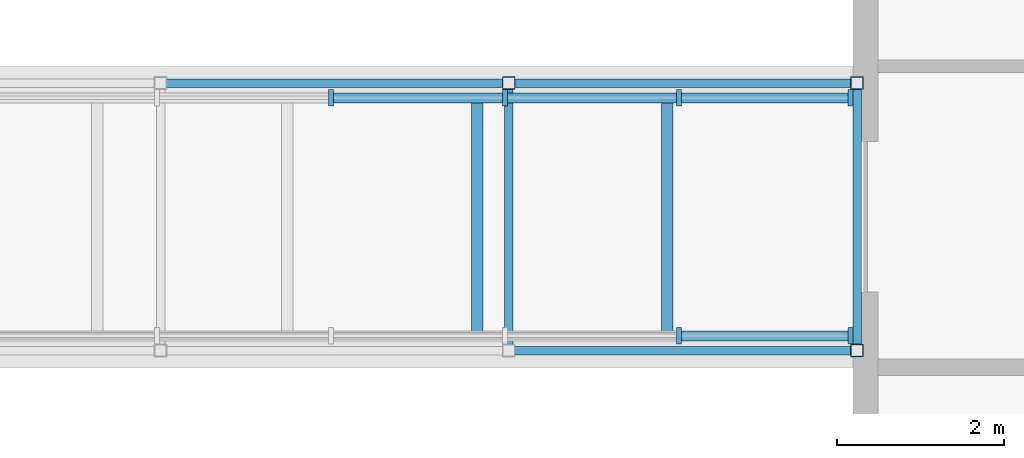
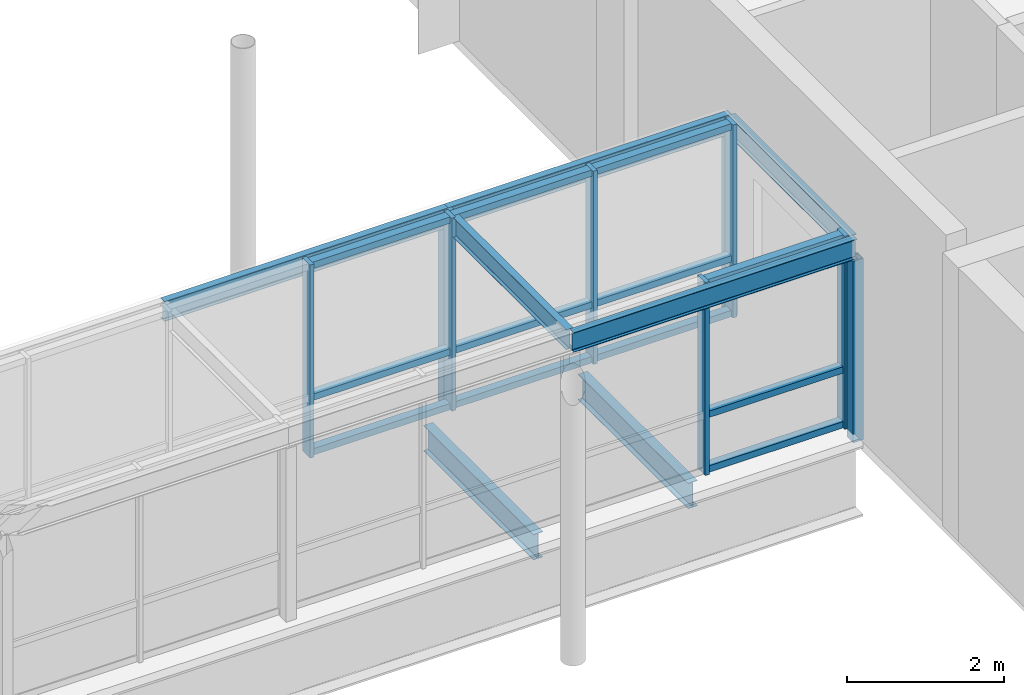
# One storey, part 13 of 70: 21 members, 7 beams, 2 elements without a shape of their own.
"""IFC4 building model written with IfcOpenShell, lengths in metres."""

from ifc_helpers import new_model, si_unit, direction, frame, origin, origin_2d, place, context, subcontext, project, spatial, rectangle, hollow_rectangle, i_section, extrude, material, material_profile, profile_set, type_object, element, aggregate, save


model = new_model("IFC4")

# Units and contexts
model_context = context("Model", 3, precision=1e-05, world=origin(), true_north=direction((0.0, 1.0)))
body_context = subcontext(model_context, "Body", "Model", "MODEL_VIEW")
ifc_project = project(units=[si_unit("LENGTHUNIT", "METRE"), si_unit("AREAUNIT", "SQUARE_METRE"), si_unit("VOLUMEUNIT", "CUBIC_METRE"), si_unit("PLANEANGLEUNIT", "RADIAN"), si_unit("MASSUNIT", "GRAM", prefix="KILO")], contexts=[model_context])

# Site, building, storey
site_placement = place(None, origin())
site = spatial("IfcSite", under=ifc_project, at=site_placement, CompositionType="ELEMENT")
building_placement = place(site_placement, origin())
building = spatial("IfcBuilding", under=site, at=building_placement, Name="Hlaing Beacon Police Headquarters", CompositionType="ELEMENT")
storey_placement = place(building_placement, frame((0.0, 0.0, 5.39990234375)))
storey = spatial("IfcBuildingStorey", under=building, at=storey_placement, Name="L01", CompositionType="ELEMENT", Elevation=5.39990234375)

# Beams
ifc_material_1 = material(Name="Steel ASTM A992 Grade 50", Category="steel")
ifc_material_profile_1 = material_profile(ifc_material_1, i_section(OverallWidth=0.1396484375, OverallDepth=0.398681640625, WebThickness=0.00634765625, FlangeThickness=0.0087890625, FilletRadius=0.01025390625, at=origin_2d()), Name="W16x26")
ifc_profile_set_1 = profile_set([ifc_material_profile_1], Name="Steel ASTM A992 Grade 50")
beam_type_1 = type_object("IfcBeamType", Name="Bridge cross beam W16x26", PredefinedType="BEAM", material=ifc_profile_set_1)
for number, where, z_axis, x_axis, name in (
    (1, (54.154541015625, 44.80078125, -0.329345703125), (0.0, 1.0, 0.0), (-1.0, 0.0, 0.0), "STR-BG-BR1-CB09"),
    (2, (56.42724609375, 44.80078125, -0.329345703125), (0.0, 1.0, 0.0), (-1.0, 0.0, 0.0), "STR-BG-BR1-CB10"),
):
    element("IfcBeam", number, at=place(storey_placement, frame(where, z_axis=z_axis, x_axis=x_axis)), inside=storey, type_object=beam_type_1, Name=name, PredefinedType="BEAM", context=body_context, shape_type="SweptSolid", body=[
        extrude(i_section(OverallWidth=0.1396484375, OverallDepth=0.398681640625, WebThickness=0.00634765625, FlangeThickness=0.0087890625, FilletRadius=0.01025390625, at=origin_2d()), origin(), (0.0, 0.0, 1.0), 2.798583984375),
    ])

# Members
ifc_material_2 = material(Name="Steel ASTM A500 Grade C", Category="steel")
ifc_material_profile_2 = material_profile(ifc_material_2, hollow_rectangle(XDim=0.15234375, YDim=0.15234375, WallThickness=0.009521484375, at=origin_2d()), Name="HSS6x6x3/8")
ifc_profile_set_2 = profile_set([ifc_material_profile_2], Name="Steel ASTM A500 Grade C")
member_type_1 = type_object("IfcMemberType", Name="Bridge post HSS6x6x3/8", PredefinedType="POST", material=ifc_profile_set_2)
for number, where, z_axis, x_axis, name in (
    (3, (58.699951171875, 44.60009765625, -0.1298828125), (0.0, 0.0, 1.0), (1.0, 0.0, 0.0), "STR-BG-BR1-PSA07"),
    (4, (54.533203125, 47.800048828125, -0.1298828125), (0.0, 0.0, 1.0), (1.0, 0.0, 0.0), "STR-BG-BR1-PSB06"),
    (5, (58.699951171875, 47.800048828125, -0.1298828125), (0.0, 0.0, 1.0), (1.0, 0.0, 0.0), "STR-BG-BR1-PSB07"),
):
    element("IfcMember", number, at=place(storey_placement, frame(where, z_axis=z_axis, x_axis=x_axis)), inside=storey, type_object=member_type_1, Name=name, PredefinedType="POST", context=body_context, shape_type="SweptSolid", body=[
        extrude(hollow_rectangle(XDim=0.15234375, YDim=0.15234375, WallThickness=0.009521484375, at=origin_2d()), origin(), (0.0, 0.0, 1.0), 2.820068359375),
    ])

# Beams
ifc_material_3 = material(Name="Steel ASTM A992 Grade 50", Category="steel")
ifc_material_profile_3 = material_profile(ifc_material_3, i_section(OverallWidth=0.101806640625, OverallDepth=0.309814453125, WebThickness=0.005859375, FlangeThickness=0.0087890625, FilletRadius=0.007568359375, at=origin_2d()), Name="W12x19")
ifc_profile_set_3 = profile_set([ifc_material_profile_3], Name="Steel ASTM A992 Grade 50")
beam_type_2 = type_object("IfcBeamType", Name="Bridge roof beam W12x19", PredefinedType="BEAM", material=ifc_profile_set_3)
beam_1_placement = place(storey_placement, frame((54.533203125, 44.60009765625, 2.84521484375), z_axis=(1.0, 0.0, 0.0), x_axis=(0.0, 1.0, 0.0)))
element("IfcBeam", 6, at=beam_1_placement, inside=storey, type_object=beam_type_2, Name="STR-BG-BR1-RBA06", PredefinedType="BEAM", context=body_context, shape_type="SweptSolid", body=[
    extrude(i_section(OverallWidth=0.101806640625, OverallDepth=0.309814453125, WebThickness=0.005859375, FlangeThickness=0.0087890625, FilletRadius=0.007568359375, at=origin_2d()), origin(), (0.0, 0.0, 1.0), 4.166748046875),
])
beam_2_placement = place(storey_placement, frame((50.36669921875, 47.800048828125, 2.84521484375), z_axis=(1.0, 0.0, 0.0), x_axis=(0.0, 1.0, 0.0)))
element("IfcBeam", 7, at=beam_2_placement, inside=storey, type_object=beam_type_2, Name="STR-BG-BR1-RBB05", PredefinedType="BEAM", context=body_context, shape_type="SweptSolid", body=[
    extrude(i_section(OverallWidth=0.101806640625, OverallDepth=0.309814453125, WebThickness=0.005859375, FlangeThickness=0.0087890625, FilletRadius=0.007568359375, at=origin_2d()), origin(), (0.0, 0.0, 1.0), 4.16650390625),
])
beam_3_placement = place(storey_placement, frame((54.533203125, 47.800048828125, 2.84521484375), z_axis=(1.0, 0.0, 0.0), x_axis=(0.0, 1.0, 0.0)))
element("IfcBeam", 8, at=beam_3_placement, inside=storey, type_object=beam_type_2, Name="STR-BG-BR1-RBB06", PredefinedType="BEAM", context=body_context, shape_type="SweptSolid", body=[
    extrude(i_section(OverallWidth=0.101806640625, OverallDepth=0.309814453125, WebThickness=0.005859375, FlangeThickness=0.0087890625, FilletRadius=0.007568359375, at=origin_2d()), origin(), (0.0, 0.0, 1.0), 4.166748046875),
])
for number, where, z_axis, x_axis, name in (
    (9, (54.533203125, 44.65087890625, 2.84521484375), (0.0, 1.0, 0.0), (-1.0, 0.0, 0.0), "STR-BG-BR1-RC06"),
    (10, (58.699951171875, 44.65087890625, 2.84521484375), (0.0, 1.0, 0.0), (-1.0, 0.0, 0.0), "STR-BG-BR1-RC07"),
):
    element("IfcBeam", number, at=place(storey_placement, frame(where, z_axis=z_axis, x_axis=x_axis)), inside=storey, type_object=beam_type_2, Name=name, PredefinedType="BEAM", context=body_context, shape_type="SweptSolid", body=[
        extrude(i_section(OverallWidth=0.101806640625, OverallDepth=0.309814453125, WebThickness=0.005859375, FlangeThickness=0.0087890625, FilletRadius=0.007568359375, at=origin_2d()), origin(), (0.0, 0.0, 1.0), 3.09814453125),
    ])

# Curtain wall, members
ifc_material_4 = material(Name="Aluminium frame with solar control glazing", Category="aluminium")
curtain_wall_type = type_object("IfcCurtainWallType", Name="Unitised curtain wall 24.98 x 3.00", PredefinedType="NOTDEFINED", material=ifc_material_4)
curtain_wall_1_placement = place(storey_placement, origin())
curtain_wall_1 = element("IfcCurtainWall", 11, at=curtain_wall_1_placement, inside=storey, type_object=curtain_wall_type, Name="ENV-BG-BR1-A-32", PredefinedType="NOTDEFINED")
ifc_material_5 = material(Name="Aluminium", Category="aluminium")
ifc_material_profile_4 = material_profile(ifc_material_5, rectangle(XDim=0.199951171875, YDim=0.06005859375, at=origin_2d()), Name="Mullion 60x200")
ifc_profile_set_4 = profile_set([ifc_material_profile_4], Name="Aluminium")
member_type_2 = type_object("IfcMemberType", Name="Mullion 60x200", PredefinedType="MULLION", material=ifc_profile_set_4)
member_1_placement = place(storey_placement, frame((56.56884765625, 44.776123046875, 0.0), z_axis=(0.0, 0.0, 1.0), x_axis=(0.0, 1.0, 0.0)))
member_1 = element("IfcMember", 12, at=member_1_placement, type_object=member_type_2, Name="BG-BR1-A-32 mullion 12", PredefinedType="MULLION", context=body_context, shape_type="SweptSolid", body=[
    extrude(rectangle(XDim=0.199951171875, YDim=0.06005859375, at=origin_2d()), origin(), (0.0, 0.0, 1.0), 3.0),
])
member_2_placement = place(storey_placement, frame((58.6201171875, 44.776123046875, 0.0), z_axis=(0.0, 0.0, 1.0), x_axis=(0.0, 1.0, 0.0)))
member_2 = element("IfcMember", 13, at=member_2_placement, type_object=member_type_2, Name="BG-BR1-A-32 mullion 13", PredefinedType="MULLION", context=body_context, shape_type="SweptSolid", body=[
    extrude(rectangle(XDim=0.199951171875, YDim=0.06005859375, at=origin_2d()), origin(), (0.0, 0.0, 1.0), 3.0),
])

curtain_wall_2_placement = place(storey_placement, origin())
curtain_wall_2 = element("IfcCurtainWall", 14, at=curtain_wall_2_placement, inside=storey, type_object=curtain_wall_type, Name="ENV-BG-BR1-B-33", PredefinedType="NOTDEFINED")
member_3_placement = place(storey_placement, frame((52.40625, 47.623779296875, 0.0), z_axis=(0.0, 0.0, 1.0), x_axis=(0.0, 1.0, 0.0)))
member_3 = element("IfcMember", 15, at=member_3_placement, type_object=member_type_2, Name="BG-BR1-B-33 mullion 10", PredefinedType="MULLION", context=body_context, shape_type="SweptSolid", body=[
    extrude(rectangle(XDim=0.199951171875, YDim=0.06005859375, at=origin_2d()), origin(), (0.0, 0.0, 1.0), 3.0),
])
member_4_placement = place(storey_placement, frame((54.487548828125, 47.623779296875, 0.0), z_axis=(0.0, 0.0, 1.0), x_axis=(0.0, 1.0, 0.0)))
member_4 = element("IfcMember", 16, at=member_4_placement, type_object=member_type_2, Name="BG-BR1-B-33 mullion 11", PredefinedType="MULLION", context=body_context, shape_type="SweptSolid", body=[
    extrude(rectangle(XDim=0.199951171875, YDim=0.06005859375, at=origin_2d()), origin(), (0.0, 0.0, 1.0), 3.0),
])
member_5_placement = place(storey_placement, frame((56.56884765625, 47.623779296875, 0.0), z_axis=(0.0, 0.0, 1.0), x_axis=(0.0, 1.0, 0.0)))
member_5 = element("IfcMember", 17, at=member_5_placement, type_object=member_type_2, Name="BG-BR1-B-33 mullion 12", PredefinedType="MULLION", context=body_context, shape_type="SweptSolid", body=[
    extrude(rectangle(XDim=0.199951171875, YDim=0.06005859375, at=origin_2d()), origin(), (0.0, 0.0, 1.0), 3.0),
])
member_6_placement = place(storey_placement, frame((58.6201171875, 47.623779296875, 0.0), z_axis=(0.0, 0.0, 1.0), x_axis=(0.0, 1.0, 0.0)))
member_6 = element("IfcMember", 18, at=member_6_placement, type_object=member_type_2, Name="BG-BR1-B-33 mullion 13", PredefinedType="MULLION", context=body_context, shape_type="SweptSolid", body=[
    extrude(rectangle(XDim=0.199951171875, YDim=0.06005859375, at=origin_2d()), origin(), (0.0, 0.0, 1.0), 3.0),
])

# Member
ifc_material_6 = material(Name="Aluminium", Category="aluminium")
ifc_material_profile_5 = material_profile(ifc_material_6, rectangle(XDim=0.1201171875, YDim=0.10009765625, at=origin_2d()), Name="Transom 120x100")
ifc_profile_set_5 = profile_set([ifc_material_profile_5], Name="Aluminium")
member_type_3 = type_object("IfcMemberType", Name="Transom 120x100", PredefinedType="USERDEFINED", material=ifc_profile_set_5)
member_7_placement = place(storey_placement, frame((56.5986328125, 44.776123046875, 0.050048828125), z_axis=(1.0, 0.0, 0.0), x_axis=(0.0, 1.0, 0.0)))
member_7 = element("IfcMember", 19, at=member_7_placement, type_object=member_type_3, Name="BG-BR1-A-32 transom 12.1", ObjectType="TRANSOM", PredefinedType="USERDEFINED", context=body_context, shape_type="SweptSolid", body=[
    extrude(rectangle(XDim=0.1201171875, YDim=0.10009765625, at=origin_2d()), origin(), (0.0, 0.0, 1.0), 1.991455078125),
])

member_8_placement = place(storey_placement, frame((56.5986328125, 44.776123046875, 0.900146484375), z_axis=(1.0, 0.0, 0.0), x_axis=(0.0, 1.0, 0.0)))
member_8 = element("IfcMember", 20, at=member_8_placement, type_object=member_type_3, Name="BG-BR1-A-32 transom 12.2", ObjectType="TRANSOM", PredefinedType="USERDEFINED", context=body_context, shape_type="SweptSolid", body=[
    extrude(rectangle(XDim=0.1201171875, YDim=0.10009765625, at=origin_2d()), origin(), (0.0, 0.0, 1.0), 1.991455078125),
])

member_9_placement = place(storey_placement, frame((56.5986328125, 44.776123046875, 2.9501953125), z_axis=(1.0, 0.0, 0.0), x_axis=(0.0, 1.0, 0.0)))
member_9 = element("IfcMember", 21, at=member_9_placement, type_object=member_type_3, Name="BG-BR1-A-32 transom 12.3", ObjectType="TRANSOM", PredefinedType="USERDEFINED", context=body_context, shape_type="SweptSolid", body=[
    extrude(rectangle(XDim=0.1201171875, YDim=0.10009765625, at=origin_2d()), origin(), (0.0, 0.0, 1.0), 1.991455078125),
])

aggregate(curtain_wall_1, [member_1, member_2, member_7, member_8, member_9])

member_10_placement = place(storey_placement, frame((52.436279296875, 47.623779296875, 0.050048828125), z_axis=(1.0, 0.0, 0.0), x_axis=(0.0, 1.0, 0.0)))
member_10 = element("IfcMember", 22, at=member_10_placement, type_object=member_type_3, Name="BG-BR1-B-33 transom 10.1", ObjectType="TRANSOM", PredefinedType="USERDEFINED", context=body_context, shape_type="SweptSolid", body=[
    extrude(rectangle(XDim=0.1201171875, YDim=0.10009765625, at=origin_2d()), origin(), (0.0, 0.0, 1.0), 2.021240234375),
])

member_11_placement = place(storey_placement, frame((52.436279296875, 47.623779296875, 0.900146484375), z_axis=(1.0, 0.0, 0.0), x_axis=(0.0, 1.0, 0.0)))
member_11 = element("IfcMember", 23, at=member_11_placement, type_object=member_type_3, Name="BG-BR1-B-33 transom 10.2", ObjectType="TRANSOM", PredefinedType="USERDEFINED", context=body_context, shape_type="SweptSolid", body=[
    extrude(rectangle(XDim=0.1201171875, YDim=0.10009765625, at=origin_2d()), origin(), (0.0, 0.0, 1.0), 2.021240234375),
])

member_12_placement = place(storey_placement, frame((52.436279296875, 47.623779296875, 2.9501953125), z_axis=(1.0, 0.0, 0.0), x_axis=(0.0, 1.0, 0.0)))
member_12 = element("IfcMember", 24, at=member_12_placement, type_object=member_type_3, Name="BG-BR1-B-33 transom 10.3", ObjectType="TRANSOM", PredefinedType="USERDEFINED", context=body_context, shape_type="SweptSolid", body=[
    extrude(rectangle(XDim=0.1201171875, YDim=0.10009765625, at=origin_2d()), origin(), (0.0, 0.0, 1.0), 2.021240234375),
])

member_13_placement = place(storey_placement, frame((54.517578125, 47.623779296875, 0.050048828125), z_axis=(1.0, 0.0, 0.0), x_axis=(0.0, 1.0, 0.0)))
member_13 = element("IfcMember", 25, at=member_13_placement, type_object=member_type_3, Name="BG-BR1-B-33 transom 11.1", ObjectType="TRANSOM", PredefinedType="USERDEFINED", context=body_context, shape_type="SweptSolid", body=[
    extrude(rectangle(XDim=0.1201171875, YDim=0.10009765625, at=origin_2d()), origin(), (0.0, 0.0, 1.0), 2.021240234375),
])

member_14_placement = place(storey_placement, frame((54.517578125, 47.623779296875, 0.900146484375), z_axis=(1.0, 0.0, 0.0), x_axis=(0.0, 1.0, 0.0)))
member_14 = element("IfcMember", 26, at=member_14_placement, type_object=member_type_3, Name="BG-BR1-B-33 transom 11.2", ObjectType="TRANSOM", PredefinedType="USERDEFINED", context=body_context, shape_type="SweptSolid", body=[
    extrude(rectangle(XDim=0.1201171875, YDim=0.10009765625, at=origin_2d()), origin(), (0.0, 0.0, 1.0), 2.021240234375),
])

member_15_placement = place(storey_placement, frame((54.517578125, 47.623779296875, 2.9501953125), z_axis=(1.0, 0.0, 0.0), x_axis=(0.0, 1.0, 0.0)))
member_15 = element("IfcMember", 27, at=member_15_placement, type_object=member_type_3, Name="BG-BR1-B-33 transom 11.3", ObjectType="TRANSOM", PredefinedType="USERDEFINED", context=body_context, shape_type="SweptSolid", body=[
    extrude(rectangle(XDim=0.1201171875, YDim=0.10009765625, at=origin_2d()), origin(), (0.0, 0.0, 1.0), 2.021240234375),
])

member_16_placement = place(storey_placement, frame((56.5986328125, 47.623779296875, 0.050048828125), z_axis=(1.0, 0.0, 0.0), x_axis=(0.0, 1.0, 0.0)))
member_16 = element("IfcMember", 28, at=member_16_placement, type_object=member_type_3, Name="BG-BR1-B-33 transom 12.1", ObjectType="TRANSOM", PredefinedType="USERDEFINED", context=body_context, shape_type="SweptSolid", body=[
    extrude(rectangle(XDim=0.1201171875, YDim=0.10009765625, at=origin_2d()), origin(), (0.0, 0.0, 1.0), 1.991455078125),
])

member_17_placement = place(storey_placement, frame((56.5986328125, 47.623779296875, 0.900146484375), z_axis=(1.0, 0.0, 0.0), x_axis=(0.0, 1.0, 0.0)))
member_17 = element("IfcMember", 29, at=member_17_placement, type_object=member_type_3, Name="BG-BR1-B-33 transom 12.2", ObjectType="TRANSOM", PredefinedType="USERDEFINED", context=body_context, shape_type="SweptSolid", body=[
    extrude(rectangle(XDim=0.1201171875, YDim=0.10009765625, at=origin_2d()), origin(), (0.0, 0.0, 1.0), 1.991455078125),
])

member_18_placement = place(storey_placement, frame((56.5986328125, 47.623779296875, 2.9501953125), z_axis=(1.0, 0.0, 0.0), x_axis=(0.0, 1.0, 0.0)))
member_18 = element("IfcMember", 30, at=member_18_placement, type_object=member_type_3, Name="BG-BR1-B-33 transom 12.3", ObjectType="TRANSOM", PredefinedType="USERDEFINED", context=body_context, shape_type="SweptSolid", body=[
    extrude(rectangle(XDim=0.1201171875, YDim=0.10009765625, at=origin_2d()), origin(), (0.0, 0.0, 1.0), 1.991455078125),
])

aggregate(curtain_wall_2, [member_3, member_4, member_5, member_6, member_10, member_11, member_12, member_13, member_14, member_15, member_16, member_17, member_18])

save(model, "model.ifc")
